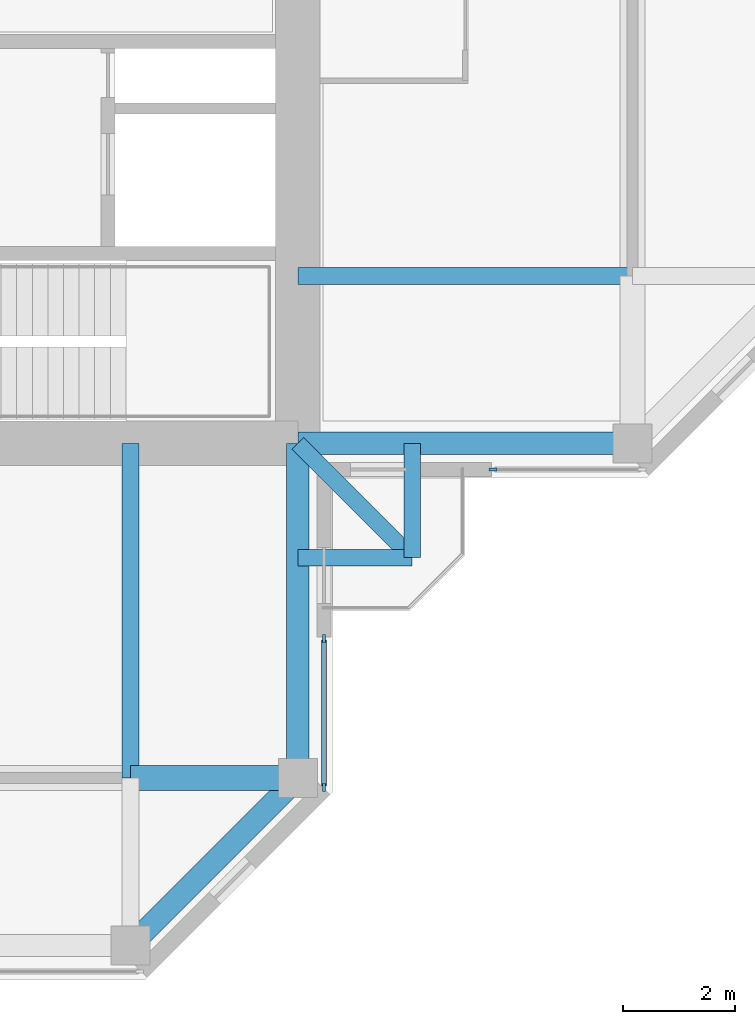
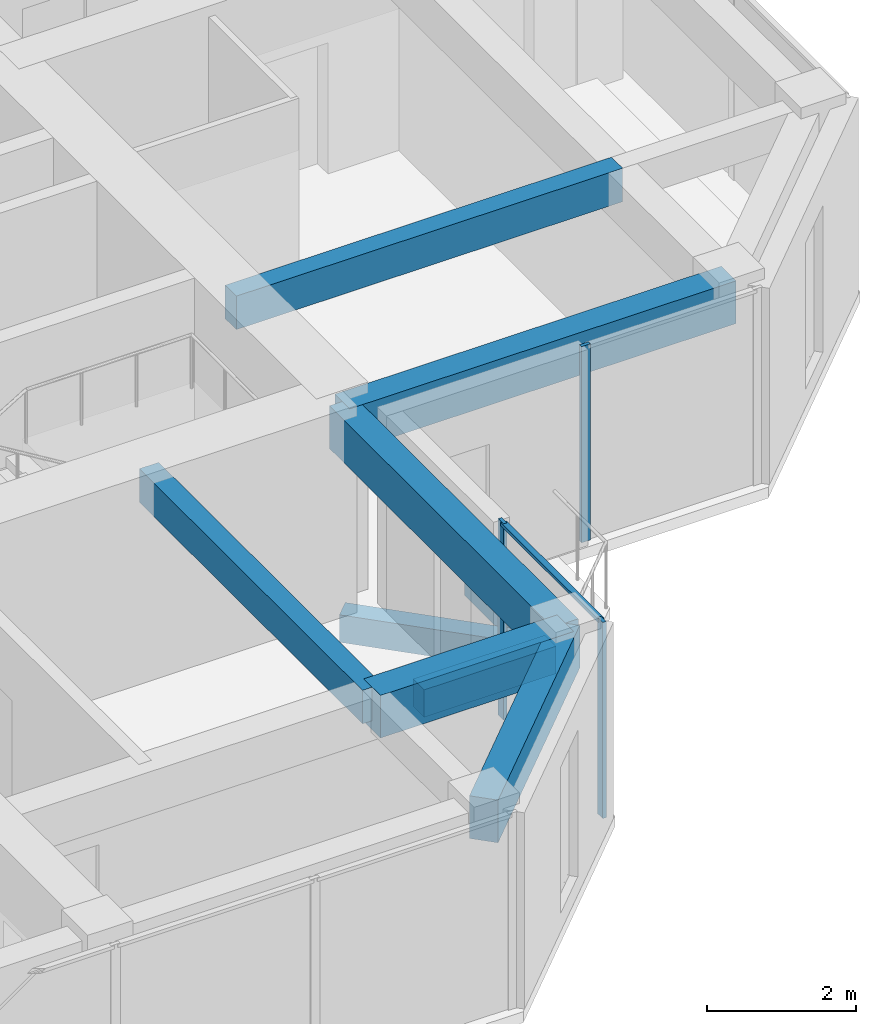
# One storey, part 3 of 13: 9 beams, 4 members, 2 elements without a shape of their own.
"""IFC4 building model written with IfcOpenShell, lengths in metres."""

from ifc_helpers import new_model, si_unit, direction, frame, origin, origin_2d, place, context, subcontext, project, spatial, rectangle, extrude, material, material_profile, profile_set, type_object, element, aggregate, save


model = new_model("IFC4")

# Units and contexts
model_context = context("Model", 3, precision=1e-05, world=origin(), true_north=direction((0.0, 1.0)))
body_context = subcontext(model_context, "Body", "Model", "MODEL_VIEW")
ifc_project = project(units=[si_unit("LENGTHUNIT", "METRE"), si_unit("AREAUNIT", "SQUARE_METRE"), si_unit("VOLUMEUNIT", "CUBIC_METRE"), si_unit("PLANEANGLEUNIT", "RADIAN"), si_unit("MASSUNIT", "GRAM", prefix="KILO")], contexts=[model_context])

# Site, building, storey
site_placement = place(None, origin())
site = spatial("IfcSite", under=ifc_project, at=site_placement, CompositionType="ELEMENT")
building_placement = place(site_placement, origin())
building = spatial("IfcBuilding", under=site, at=building_placement, Name="Torre Cruceta", CompositionType="ELEMENT")
storey_placement = place(building_placement, frame((0.0, 0.0, 267.89990234375)))
storey = spatial("IfcBuildingStorey", under=building, at=storey_placement, Name="L69", CompositionType="ELEMENT", Elevation=267.89990234375)

# Beams
ifc_material_1 = material(Name="Concrete G60 (fck 60 MPa)", Category="concrete")
ifc_material_profile_1 = material_profile(ifc_material_1, rectangle(XDim=0.300048828125, YDim=0.449951171875, at=origin_2d()), Name="RC 300X450")
ifc_profile_set_1 = profile_set([ifc_material_profile_1], Name="Concrete G60 (fck 60 MPa)")
beam_type_1 = type_object("IfcBeamType", Name="BALCONY CANTILEVER BEAM RC 300X450", PredefinedType="BEAM", material=ifc_profile_set_1)
beam_1_placement = place(storey_placement, frame((9.0, -9.0, -0.40478515625), z_axis=(0.707106781187, -0.707106781187, 0.0), x_axis=(0.707106781187, 0.707106781187, 0.0)))
element("IfcBeam", 1, at=beam_1_placement, inside=storey, type_object=beam_type_1, Name="BB1 balcony beam L69 S", PredefinedType="BEAM", context=body_context, shape_type="SweptSolid", body=[
    extrude(rectangle(XDim=0.300048828125, YDim=0.449951171875, at=origin_2d()), origin(), (0.0, 0.0, 1.0), 2.89990234375),
])
for number, where, z_axis, x_axis, name in (
    (2, (11.050537109375, -9.0, -0.40478515625), (0.0, -1.0, 0.0), (1.0, 0.0, 0.0), "BB1 balcony edge beam L69 S-X"),
    (3, (9.0, -11.050537109375, -0.40478515625), (1.0, 0.0, 0.0), (0.0, 1.0, 0.0), "BB1 balcony edge beam L69 S-Y"),
):
    element("IfcBeam", number, at=place(storey_placement, frame(where, z_axis=z_axis, x_axis=x_axis)), inside=storey, type_object=beam_type_1, Name=name, PredefinedType="BEAM", context=body_context, shape_type="SweptSolid", body=[
        extrude(rectangle(XDim=0.300048828125, YDim=0.449951171875, at=origin_2d()), origin(), (0.0, 0.0, 1.0), 2.050537109375),
    ])
ifc_material_2 = material(Name="Concrete G60 (fck 60 MPa)", Category="concrete")
ifc_material_profile_2 = material_profile(ifc_material_2, rectangle(XDim=0.300048828125, YDim=0.550048828125, at=origin_2d()), Name="RC 300X550")
ifc_profile_set_2 = profile_set([ifc_material_profile_2], Name="Concrete G60 (fck 60 MPa)")
beam_type_2 = type_object("IfcBeamType", Name="COLUMN LINE BEAM RC 300X550", PredefinedType="BEAM", material=ifc_profile_set_2)
for number, where, z_axis, x_axis, name in (
    (4, (9.0, -6.0, 2.945068359375), (1.0, 0.0, 0.0), (0.0, 1.0, 0.0), "LB10 L69 E col- 1"),
    (5, (6.0, -9.0, 2.945068359375), (0.0, -1.0, 0.0), (1.0, 0.0, 0.0), "LB10 L69 S col+ 1"),
):
    element("IfcBeam", number, at=place(storey_placement, frame(where, z_axis=z_axis, x_axis=x_axis)), inside=storey, type_object=beam_type_2, Name=name, PredefinedType="BEAM", context=body_context, shape_type="SweptSolid", body=[
        extrude(rectangle(XDim=0.300048828125, YDim=0.550048828125, at=origin_2d()), origin(), (0.0, 0.0, 1.0), 6.0),
    ])
ifc_material_3 = material(Name="Concrete G60 (fck 60 MPa)", Category="concrete")
ifc_material_profile_3 = material_profile(ifc_material_3, rectangle(XDim=0.449951171875, YDim=0.699951171875, at=origin_2d()), Name="RC 450X700")
ifc_profile_set_3 = profile_set([ifc_material_profile_3], Name="Concrete G60 (fck 60 MPa)")
beam_type_3 = type_object("IfcBeamType", Name="CROSS BEAM RC 450X700", PredefinedType="BEAM", material=ifc_profile_set_3)
beam_2_placement = place(storey_placement, frame((6.0, -15.0, 2.8701171875), z_axis=(1.0, 0.0, 0.0), x_axis=(0.0, 1.0, 0.0)))
element("IfcBeam", 6, at=beam_2_placement, inside=storey, type_object=beam_type_3, Name="GB8 L69 S cross15 4", PredefinedType="BEAM", context=body_context, shape_type="SweptSolid", body=[
    extrude(rectangle(XDim=0.449951171875, YDim=0.699951171875, at=origin_2d()), origin(), (0.0, 0.0, 1.0), 3.0),
])

# Curtain wall, member
ifc_material_4 = material(Name="Aluminium unitised curtain wall", Category="aluminium")
curtain_wall_type = type_object("IfcCurtainWallType", Name="CURTAIN WALL CW-E CO-LIVING TOP", PredefinedType="USERDEFINED", material=ifc_material_4)
curtain_wall_1_placement = place(storey_placement, origin())
curtain_wall_1 = element("IfcCurtainWall", 7, at=curtain_wall_1_placement, inside=storey, type_object=curtain_wall_type, Name="CW-E L69 E side 00", ObjectType="UNITISED", PredefinedType="USERDEFINED")
ifc_material_5 = material(Name="Aluminium mullion", Category="aluminium")
ifc_material_profile_4 = material_profile(ifc_material_5, rectangle(XDim=0.054931640625, YDim=0.139892578125, at=origin_2d()), Name="AL 55X140")
ifc_profile_set_4 = profile_set([ifc_material_profile_4], Name="Aluminium mullion")
member_type_1 = type_object("IfcMemberType", Name="CW-E MULLION 55X140", PredefinedType="MULLION", material=ifc_profile_set_4)
member_1_placement = place(storey_placement, frame((12.49755859375, -9.469970703125, 0.0), z_axis=(0.0, 0.0, 1.0), x_axis=(0.0, 1.0, 0.0)))
member_1 = element("IfcMember", 8, at=member_1_placement, type_object=member_type_1, Name="CW-E mullion 1", PredefinedType="MULLION", context=body_context, shape_type="SweptSolid", body=[
    extrude(rectangle(XDim=0.054931640625, YDim=0.139892578125, at=origin_2d()), origin(), (0.0, 0.0, 1.0), 3.22021484375),
])
aggregate(curtain_wall_1, [member_1])

# Curtain wall, members
curtain_wall_2_placement = place(storey_placement, origin())
curtain_wall_2 = element("IfcCurtainWall", 9, at=curtain_wall_2_placement, inside=storey, type_object=curtain_wall_type, Name="CW-E L69 S side 19", ObjectType="UNITISED", PredefinedType="USERDEFINED")
member_2_placement = place(storey_placement, frame((9.469970703125, -15.167236328125, 0.0), z_axis=(0.0, 0.0, 1.0), x_axis=(-1.0, 0.0, 0.0)))
member_2 = element("IfcMember", 10, at=member_2_placement, type_object=member_type_1, Name="CW-E mullion 1", PredefinedType="MULLION", context=body_context, shape_type="SweptSolid", body=[
    extrude(rectangle(XDim=0.054931640625, YDim=0.139892578125, at=origin_2d()), origin(), (0.0, 0.0, 1.0), 3.22021484375),
])
member_3_placement = place(storey_placement, frame((9.469970703125, -12.49755859375, 0.0), z_axis=(0.0, 0.0, 1.0), x_axis=(-1.0, 0.0, 0.0)))
member_3 = element("IfcMember", 11, at=member_3_placement, type_object=member_type_1, Name="CW-E mullion 2", PredefinedType="MULLION", context=body_context, shape_type="SweptSolid", body=[
    extrude(rectangle(XDim=0.054931640625, YDim=0.139892578125, at=origin_2d()), origin(), (0.0, 0.0, 1.0), 3.22021484375),
])
ifc_material_6 = material(Name="Aluminium transom", Category="aluminium")
ifc_material_profile_5 = material_profile(ifc_material_6, rectangle(XDim=0.090087890625, YDim=0.054931640625, at=origin_2d()), Name="AL 90X55")
ifc_profile_set_5 = profile_set([ifc_material_profile_5], Name="Aluminium transom")
member_type_2 = type_object("IfcMemberType", Name="CW-E TRANSOM 55X90", PredefinedType="USERDEFINED", material=ifc_profile_set_5)
member_4_placement = place(storey_placement, frame((9.469970703125, -15.1396484375, 3.192626953125), z_axis=(0.0, 1.0, 0.0), x_axis=(-1.0, 0.0, 0.0)))
member_4 = element("IfcMember", 12, at=member_4_placement, type_object=member_type_2, Name="CW-E transom 1", ObjectType="TRANSOM", PredefinedType="USERDEFINED", context=body_context, shape_type="SweptSolid", body=[
    extrude(rectangle(XDim=0.090087890625, YDim=0.054931640625, at=origin_2d()), origin(), (0.0, 0.0, 1.0), 2.61474609375),
])
aggregate(curtain_wall_2, [member_2, member_3, member_4])

# Beams
ifc_material_7 = material(Name="Concrete G60 (fck 60 MPa)", Category="concrete")
ifc_material_profile_6 = material_profile(ifc_material_7, rectangle(XDim=0.39990234375, YDim=0.699951171875, at=origin_2d()), Name="RC 400X700")
ifc_profile_set_6 = profile_set([ifc_material_profile_6], Name="Concrete G60 (fck 60 MPa)")
beam_type_4 = type_object("IfcBeamType", Name="SPANDREL BEAM RC 400X700", PredefinedType="SPANDREL", material=ifc_profile_set_6)
for number, where, z_axis, x_axis, name in (
    (13, (9.0, -9.0, 2.8701171875), (1.0, 0.0, 0.0), (0.0, 1.0, 0.0), "SB8 L69 E side- 1"),
    (14, (9.0, -9.0, 2.8701171875), (0.0, -1.0, 0.0), (1.0, 0.0, 0.0), "SB8 L69 S side+ 1"),
):
    element("IfcBeam", number, at=place(storey_placement, frame(where, z_axis=z_axis, x_axis=x_axis)), inside=storey, type_object=beam_type_4, Name=name, PredefinedType="SPANDREL", context=body_context, shape_type="SweptSolid", body=[
        extrude(rectangle(XDim=0.39990234375, YDim=0.699951171875, at=origin_2d()), origin(), (0.0, 0.0, 1.0), 6.0),
    ])
beam_3_placement = place(storey_placement, frame((9.0, -15.0, 2.8701171875), z_axis=(-0.707106781187, -0.707106781187, 0.0), x_axis=(0.707106781187, -0.707106781187, 0.0)))
element("IfcBeam", 15, at=beam_3_placement, inside=storey, type_object=beam_type_4, Name="SB8 L69 S side+ 2", PredefinedType="SPANDREL", context=body_context, shape_type="SweptSolid", body=[
    extrude(rectangle(XDim=0.39990234375, YDim=0.699951171875, at=origin_2d()), origin(), (0.0, 0.0, 1.0), 4.24267578125),
])

save(model, "model.ifc")
